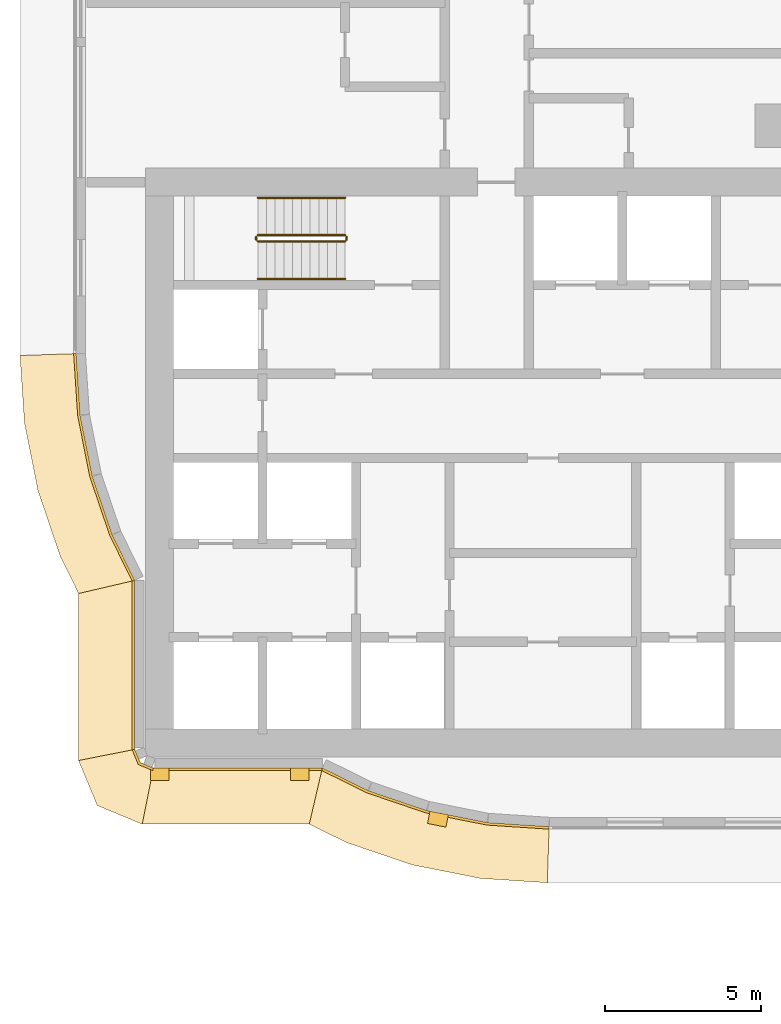
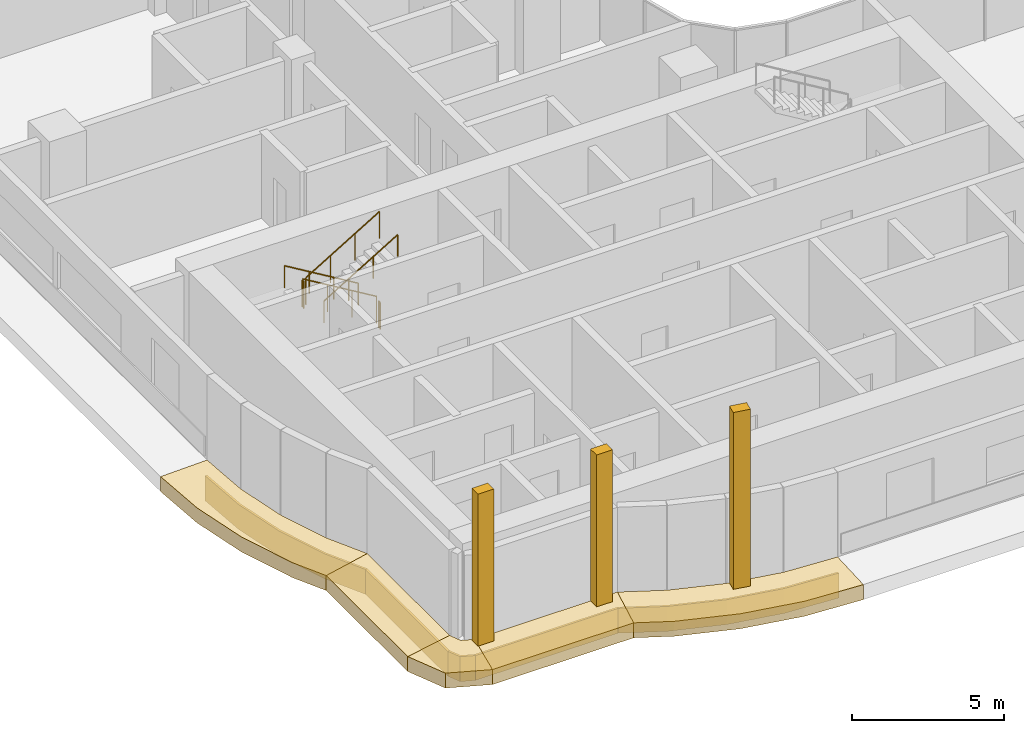
# One storey, part 28 of 36: 13 coverings, 6 railings.
"""IFC4 building model written with IfcOpenShell, lengths in metres."""

import ifcopenshell
import ifcopenshell.guid

model = None  # the IFC model being written
_history = None  # IfcOwnerHistory: only IFC2X3 demands one
_inside = {}  # id of a spatial element -> (the spatial element, [elements in it])
_under = {}  # id of a project, library or spatial element -> (it, [spatial elements below it])
_declared = {}  # id of a project -> (the project, [libraries it declares])
_typed = {}  # id of a type object -> (the type object, [elements of that type])
_made_of = {}  # id of a material, layer set ... -> (it, [elements and type objects made of it])


def new_model(schema):
    """Start an empty IFC model of exactly this schema.

    Asked for "IFC4X3", IfcOpenShell would pick the latest addendum, in which some entities
    have other attributes; the version numbers below select the first issue.
    IFC2X3 requires an IfcOwnerHistory on every rooted entity: one is made here for all.
    """
    global model, _history
    if schema == "IFC4X3":
        model = ifcopenshell.file(schema_version=(4, 3, 0, 0))
    else:
        model = ifcopenshell.file(schema=schema)
    _inside.clear()
    _under.clear()
    _declared.clear()
    _typed.clear()
    _made_of.clear()
    _history = None
    if model.schema == "IFC2X3":
        org = make("IfcOrganization", Name="unknown")
        user = make(
            "IfcPersonAndOrganization",
            ThePerson=make("IfcPerson", FamilyName="unknown"),
            TheOrganization=org,
        )
        app = make(
            "IfcApplication",
            ApplicationDeveloper=org,
            Version="unknown",
            ApplicationFullName="unknown",
            ApplicationIdentifier="unknown",
        )
        _history = make(
            "IfcOwnerHistory",
            OwningUser=user,
            OwningApplication=app,
            ChangeAction="ADDED",
            CreationDate=0,
        )
    return model


def make(cls, **values):
    """One entity of the class cls with the attributes given. An attribute that is None is left unset."""
    return model.create_entity(
        cls, **{name: value for name, value in values.items() if value is not None}
    )


def rooted(cls, **values):
    """An entity with a GlobalId (a new one), such as an element, a storey or a relation."""
    return make(cls, GlobalId=ifcopenshell.guid.new(), OwnerHistory=_history, **values)


def si_unit(unit_type, name, prefix=None):
    """IfcSIUnit, for example si_unit("LENGTHUNIT", "METRE", prefix="MILLI")."""
    return make("IfcSIUnit", UnitType=unit_type, Prefix=prefix, Name=name)


def assignment(units):
    """IfcUnitAssignment: the units of a project."""
    return None if units is None else make("IfcUnitAssignment", Units=units)


def point(xyz):
    """IfcCartesianPoint."""
    return None if xyz is None else make("IfcCartesianPoint", Coordinates=xyz)


def direction(xyz):
    """IfcDirection."""
    return None if xyz is None else make("IfcDirection", DirectionRatios=xyz)


def frame(location, z_axis=None, x_axis=None):
    """IfcAxis2Placement3D, a coordinate frame: its origin and axes. An axis left out is left unset."""
    return make(
        "IfcAxis2Placement3D",
        Location=point(location),
        Axis=direction(z_axis),
        RefDirection=direction(x_axis),
    )


def frame_2d(location, x_axis=None):
    """IfcAxis2Placement2D, a coordinate frame in the plane: its origin and x axis."""
    return make(
        "IfcAxis2Placement2D", Location=point(location), RefDirection=direction(x_axis)
    )


def origin():
    """The frame at (0, 0, 0) with its axes left unset."""
    return frame((0.0, 0.0, 0.0))


def origin_2d():
    """The frame at (0, 0) in the plane with its x axis left unset."""
    return frame_2d((0.0, 0.0))


def place(relative_to, where):
    """IfcLocalPlacement: puts the frame where relative to a parent placement (None: the world)."""
    return make(
        "IfcLocalPlacement", PlacementRelTo=relative_to, RelativePlacement=where
    )


def context(
    kind, dimensions, precision=None, world=None, true_north=None, identifier=None
):
    """IfcGeometricRepresentationContext, for example the 3D "Model" context."""
    return make(
        "IfcGeometricRepresentationContext",
        ContextIdentifier=identifier,
        ContextType=kind,
        CoordinateSpaceDimension=dimensions,
        Precision=precision,
        WorldCoordinateSystem=world,
        TrueNorth=true_north,
    )


def subcontext(parent, identifier, kind, view, scale=None):
    """IfcGeometricRepresentationSubContext, for example "Body" below "Model"."""
    return make(
        "IfcGeometricRepresentationSubContext",
        ContextIdentifier=identifier,
        ContextType=kind,
        ParentContext=parent,
        TargetScale=scale,
        TargetView=view,
    )


def project(units=None, contexts=None):
    """IfcProject with its units and contexts."""
    return rooted(
        "IfcProject",
        Name="project",
        RepresentationContexts=contexts,
        UnitsInContext=assignment(units),
    )


def spatial(cls, under=None, at=None, **own):
    """A site, building, storey or space (cls), placed at a placement, below another one or the project."""
    s = rooted(cls, ObjectPlacement=at, **own)
    if under is not None:
        _under.setdefault(under.id(), (under, []))[1].append(s)
    return s


def polyline(points):
    """IfcPolyline through the points."""
    return make("IfcPolyline", Points=[point(p) for p in points])


def profile(cls, at=None, kind="AREA", **sizes):
    """A parametric profile (cls). Its sizes go by their IFC names, for example OverallWidth=200.0."""
    return make(cls, ProfileType=kind, Position=at, **sizes)


def rectangle(**sizes):
    """IfcRectangleProfileDef."""
    return profile("IfcRectangleProfileDef", **sizes)


def circle(**sizes):
    """IfcCircleProfileDef."""
    return profile("IfcCircleProfileDef", **sizes)


def outline(outer, holes=None, kind="AREA"):
    """IfcArbitraryClosedProfileDef: a profile drawn as a closed curve; with holes, ...WithVoids."""
    if holes is None:
        return make("IfcArbitraryClosedProfileDef", ProfileType=kind, OuterCurve=outer)
    return make(
        "IfcArbitraryProfileDefWithVoids",
        ProfileType=kind,
        OuterCurve=outer,
        InnerCurves=holes,
    )


def extrude(swept, where, along, depth):
    """IfcExtrudedAreaSolid: the profile swept, set in the frame where, extruded along a direction by depth."""
    return make(
        "IfcExtrudedAreaSolid",
        SweptArea=swept,
        Position=where,
        ExtrudedDirection=direction(along),
        Depth=depth,
    )


def shape(context_of_items, identifier, shape_type, items):
    """IfcShapeRepresentation: the items that make up one representation, for example the "Body"."""
    return make(
        "IfcShapeRepresentation",
        ContextOfItems=context_of_items,
        RepresentationIdentifier=identifier,
        RepresentationType=shape_type,
        Items=items,
    )


def material(Name=None, Category=None):
    """IfcMaterial."""
    return make("IfcMaterial", Name=Name, Category=Category)


def layer(
    of_material, thickness, ventilated=None, Name=None, Category=None, Priority=None
):
    """IfcMaterialLayer: one layer of a wall or slab, of a material (None: an air gap)."""
    return make(
        "IfcMaterialLayer",
        Material=of_material,
        LayerThickness=thickness,
        IsVentilated=ventilated,
        Name=Name,
        Category=Category,
        Priority=Priority,
    )


def layer_set(layers, Name=None):
    """IfcMaterialLayerSet."""
    return make("IfcMaterialLayerSet", MaterialLayers=layers, LayerSetName=Name)


def made_of(thing, what):
    """Note that an element or type object is made of a material, layer set ...; save() writes the relation."""
    if what is not None:
        _made_of.setdefault(what.id(), (what, []))[1].append(thing)
    return thing


def type_object(cls, material=None, **own):
    """A type object (cls), such as IfcWallType, which elements share."""
    return made_of(rooted(cls, **own), material)


def element(
    cls,
    number,
    at=None,
    inside=None,
    cuts=None,
    type_object=None,
    material=None,
    context=None,
    identifier="Body",
    shape_type=None,
    held_by="IfcProductDefinitionShape",
    body=None,
    shapes=None,
    **own,
):
    """One element of the class cls, such as IfcWall. Its Tag is "e" and its number.

    at: its placement. inside: the storey or other place that contains it. cuts: it is an
    opening in that element (IfcRelVoidsElement). A single representation is given by context,
    identifier, shape_type and body (its items); several are given by shapes. held_by: the class
    of the entity that holds the representations. save() writes the other relations.
    """
    e = rooted(cls, Tag="e%d" % number, ObjectPlacement=at, **own)
    if body is not None:
        shapes = [shape(context, identifier, shape_type, body)]
    if shapes is not None:
        e.Representation = make(held_by, Representations=shapes)
    if inside is not None:
        _inside.setdefault(inside.id(), (inside, []))[1].append(e)
    if cuts is not None:
        rooted(
            "IfcRelVoidsElement", RelatingBuildingElement=cuts, RelatedOpeningElement=e
        )
    if type_object is not None:
        _typed.setdefault(type_object.id(), (type_object, []))[1].append(e)
    return made_of(e, material)


def aggregate(whole, parts):
    """IfcRelAggregates: a whole, such as a stair, and the parts it consists of."""
    return rooted("IfcRelAggregates", RelatingObject=whole, RelatedObjects=parts)


def save(model, path):
    """Write the relations noted so far, then the file.

    IfcRelAggregates (storeys below a building ...), IfcRelContainedInSpatialStructure (elements
    in a storey), IfcRelDefinesByType, IfcRelAssociatesMaterial and IfcRelDeclares: one each for
    every whole, place, type object, material and project.
    """
    for whole, parts in _under.values():
        aggregate(whole, parts)
    for where, things in _inside.values():
        rooted(
            "IfcRelContainedInSpatialStructure",
            RelatedElements=things,
            RelatingStructure=where,
        )
    for kind, things in _typed.values():
        rooted("IfcRelDefinesByType", RelatedObjects=things, RelatingType=kind)
    for what, things in _made_of.values():
        rooted("IfcRelAssociatesMaterial", RelatedObjects=things, RelatingMaterial=what)
    for by, libraries in _declared.values():
        rooted("IfcRelDeclares", RelatingContext=by, RelatedDefinitions=libraries)
    model.write(path)


model = new_model("IFC4")

# Units and contexts
model_context = context("Model", 3, precision=1e-05, world=origin(), true_north=direction((0.0, 1.0)))
body_context = subcontext(model_context, "Body", "Model", "MODEL_VIEW")
ifc_project = project(units=[si_unit("LENGTHUNIT", "METRE"), si_unit("AREAUNIT", "SQUARE_METRE"), si_unit("VOLUMEUNIT", "CUBIC_METRE"), si_unit("PLANEANGLEUNIT", "RADIAN"), si_unit("MASSUNIT", "GRAM", prefix="KILO")], contexts=[model_context])

# Site, building, storey
site_placement = place(None, origin())
site = spatial("IfcSite", under=ifc_project, at=site_placement, CompositionType="ELEMENT")
building_placement = place(site_placement, origin())
building = spatial("IfcBuilding", under=site, at=building_placement, Name="Ogive Portal Towers", CompositionType="ELEMENT")
storey_placement = place(building_placement, frame((0.0, 0.0, 63.10009765625)))
storey = spatial("IfcBuildingStorey", under=building, at=storey_placement, Name="L14", CompositionType="ELEMENT", Elevation=63.10009765625)

# Railings
ifc_material_1 = material(Name="Stainless steel balustrade", Category="steel")
railing_type_1 = type_object("IfcRailingType", Name="INT-GUARD", PredefinedType="GUARDRAIL", material=ifc_material_1)
railing_1_placement = place(storey_placement, frame((37.449951171875, 37.800048828125, 0.16796875)))
element("IfcRailing", 1, at=railing_1_placement, inside=storey, type_object=railing_type_1, Name="L14 ST-A1 stair guard 1", PredefinedType="GUARDRAIL", context=body_context, shape_type="SweptSolid", body=[
    extrude(circle(Radius=0.02392578125, at=origin_2d()), frame((0.0, 0.0, 1.076171875), z_axis=(-0.857242210791, 0.0, 0.514913383045), x_axis=(0.0, -1.0, 0.0)), (0.0, 0.0, 1.0), 3.266357421875),
    extrude(circle(Radius=0.02099609375, at=origin_2d()), origin(), (0.0, 0.0, 1.0), 1.052001953125),
    extrude(circle(Radius=0.02099609375, at=origin_2d()), frame((-0.933349609375, 0.0, 0.560546875)), (0.0, 0.0, 1.0), 1.052001953125),
    extrude(circle(Radius=0.02099609375, at=origin_2d()), frame((-1.86669921875, 0.0, 1.121337890625)), (0.0, 0.0, 1.0), 1.052001953125),
    extrude(circle(Radius=0.02099609375, at=origin_2d()), frame((-2.800048828125, 0.0, 1.681884765625)), (0.0, 0.0, 1.0), 1.052001953125),
])
railing_2_placement = place(storey_placement, frame((34.60009765625, 37.75, 1.849853515625)))
element("IfcRailing", 2, at=railing_2_placement, inside=storey, type_object=railing_type_1, Name="L14 ST-A1 stair guard 2", PredefinedType="GUARDRAIL", context=body_context, shape_type="SweptSolid", body=[
    extrude(circle(Radius=0.02392578125, at=origin_2d()), frame((0.0, 0.0, 1.076171875), z_axis=(0.0, -1.0, 0.0), x_axis=(1.0, 0.0, 0.0)), (0.0, 0.0, 1.0), 0.10009765625),
    extrude(circle(Radius=0.02099609375, at=origin_2d()), origin(), (0.0, 0.0, 1.0), 1.052001953125),
    extrude(circle(Radius=0.02099609375, at=origin_2d()), frame((0.0, -0.10009765625, 0.0)), (0.0, 0.0, 1.0), 1.052001953125),
])
railing_3_placement = place(storey_placement, frame((34.64990234375, 37.60009765625, 2.01806640625)))
element("IfcRailing", 3, at=railing_3_placement, inside=storey, type_object=railing_type_1, Name="L14 ST-A1 stair guard 3", PredefinedType="GUARDRAIL", context=body_context, shape_type="SweptSolid", body=[
    extrude(circle(Radius=0.02392578125, at=origin_2d()), frame((0.0, 0.0, 1.076171875), z_axis=(0.857242210791, 0.0, 0.514913383045), x_axis=(0.0, 1.0, 0.0)), (0.0, 0.0, 1.0), 3.266357421875),
    extrude(circle(Radius=0.02099609375, at=origin_2d()), origin(), (0.0, 0.0, 1.0), 1.052001953125),
    extrude(circle(Radius=0.02099609375, at=origin_2d()), frame((0.933349609375, 0.0, 0.560546875)), (0.0, 0.0, 1.0), 1.052001953125),
    extrude(circle(Radius=0.02099609375, at=origin_2d()), frame((1.86669921875, 0.0, 1.121337890625)), (0.0, 0.0, 1.0), 1.052001953125),
    extrude(circle(Radius=0.02099609375, at=origin_2d()), frame((2.800048828125, 0.0, 1.681884765625)), (0.0, 0.0, 1.0), 1.052001953125),
])
railing_4_placement = place(storey_placement, frame((37.5, 37.75, 0.0)))
element("IfcRailing", 4, at=railing_4_placement, inside=storey, type_object=railing_type_1, Name="L14 ST-A1 stair guard 4", PredefinedType="GUARDRAIL", context=body_context, shape_type="SweptSolid", body=[
    extrude(circle(Radius=0.02392578125, at=origin_2d()), frame((0.0, 0.0, 1.076171875), z_axis=(0.0, -1.0, 0.0), x_axis=(1.0, 0.0, 0.0)), (0.0, 0.0, 1.0), 0.10009765625),
    extrude(circle(Radius=0.02099609375, at=origin_2d()), origin(), (0.0, 0.0, 1.0), 1.052001953125),
    extrude(circle(Radius=0.02099609375, at=origin_2d()), frame((0.0, -0.10009765625, 0.0)), (0.0, 0.0, 1.0), 1.052001953125),
])
ifc_material_2 = material(Name="Stainless steel handrail", Category="steel")
railing_type_2 = type_object("IfcRailingType", Name="INT-HANDRAIL", PredefinedType="HANDRAIL", material=ifc_material_2)
railing_5_placement = place(storey_placement, frame((37.449951171875, 39.0, 0.16796875)))
element("IfcRailing", 5, at=railing_5_placement, inside=storey, type_object=railing_type_2, Name="L14 ST-A1 stair handrail 1", PredefinedType="HANDRAIL", context=body_context, shape_type="SweptSolid", body=[
    extrude(circle(Radius=0.02392578125, at=origin_2d()), frame((0.0, 0.0, 0.8759765625), z_axis=(-0.857242210791, 0.0, 0.514913383045), x_axis=(0.0, -1.0, 0.0)), (0.0, 0.0, 1.0), 3.266357421875),
    extrude(circle(Radius=0.02099609375, at=origin_2d()), origin(), (0.0, 0.0, 1.0), 0.851806640625),
    extrude(circle(Radius=0.02099609375, at=origin_2d()), frame((-0.933349609375, 0.0, 0.560546875)), (0.0, 0.0, 1.0), 0.851806640625),
    extrude(circle(Radius=0.02099609375, at=origin_2d()), frame((-1.86669921875, 0.0, 1.121337890625)), (0.0, 0.0, 1.0), 0.851806640625),
    extrude(circle(Radius=0.02099609375, at=origin_2d()), frame((-2.800048828125, 0.0, 1.681884765625)), (0.0, 0.0, 1.0), 0.851806640625),
])
railing_6_placement = place(storey_placement, frame((34.64990234375, 36.39990234375, 2.01806640625)))
element("IfcRailing", 6, at=railing_6_placement, inside=storey, type_object=railing_type_2, Name="L14 ST-A1 stair handrail 2", PredefinedType="HANDRAIL", context=body_context, shape_type="SweptSolid", body=[
    extrude(circle(Radius=0.02392578125, at=origin_2d()), frame((0.0, 0.0, 0.8759765625), z_axis=(0.857242210791, 0.0, 0.514913383045), x_axis=(0.0, 1.0, 0.0)), (0.0, 0.0, 1.0), 3.266357421875),
    extrude(circle(Radius=0.02099609375, at=origin_2d()), origin(), (0.0, 0.0, 1.0), 0.851806640625),
    extrude(circle(Radius=0.02099609375, at=origin_2d()), frame((0.933349609375, 0.0, 0.560546875)), (0.0, 0.0, 1.0), 0.851806640625),
    extrude(circle(Radius=0.02099609375, at=origin_2d()), frame((1.86669921875, 0.0, 1.121337890625)), (0.0, 0.0, 1.0), 0.851806640625),
    extrude(circle(Radius=0.02099609375, at=origin_2d()), frame((2.800048828125, 0.0, 1.681884765625)), (0.0, 0.0, 1.0), 0.851806640625),
])

# Coverings
ifc_material_3 = material(Name="Limestone cladding on lightweight block wall", Category="masonry")
ifc_layer_1 = layer(ifc_material_3, 0.39990234375)
ifc_layer_set_1 = layer_set([ifc_layer_1], Name="SPINE PIER STONE")
covering_type_1 = type_object("IfcCoveringType", Name="SPINE PIER STONE", PredefinedType="CLADDING", material=ifc_layer_set_1)
for number, where, z_axis, x_axis, name in (
    (7, (31.5, 20.5, -0.000244140625), (0.0, 0.0, 1.0), (1.0, 0.0, 0.0), "SPINE PIER"),
    (8, (36.0, 20.5, -0.000244140625), (0.0, 0.0, 1.0), (1.0, 0.0, 0.0), "SPINE PIER"),
):
    element("IfcCovering", number, at=place(storey_placement, frame(where, z_axis=z_axis, x_axis=x_axis)), inside=storey, type_object=covering_type_1, Name=name, PredefinedType="CLADDING", context=body_context, shape_type="SweptSolid", body=[
        extrude(rectangle(XDim=0.60009765625, YDim=0.39990234375, at=origin_2d()), origin(), (0.0, 0.0, 1.0), 6.10009765625),
    ])
covering_1_placement = place(storey_placement, frame((40.431640625, 19.0615234375, -0.000244140625), z_axis=(0.0, 0.0, 1.0), x_axis=(0.980785280403, -0.195090322016, 0.0)))
element("IfcCovering", 9, at=covering_1_placement, inside=storey, type_object=covering_type_1, Name="SPINE PIER", PredefinedType="CLADDING", context=body_context, shape_type="SweptSolid", body=[
    extrude(rectangle(XDim=0.60009765625, YDim=0.39990234375, at=origin_2d()), origin(), (0.0, 0.0, 1.0), 7.10009765625),
])
ifc_layer_2 = layer(ifc_material_3, 0.080078125)
ifc_layer_set_2 = layer_set([ifc_layer_2], Name="STONE SPANDREL 80")
covering_type_2 = type_object("IfcCoveringType", Name="STONE SPANDREL 80", PredefinedType="CLADDING", material=ifc_layer_set_2)
covering_2_placement = place(storey_placement, frame((0.0, 0.0, -1.60009765625)))
element("IfcCovering", 10, at=covering_2_placement, inside=storey, type_object=covering_type_2, Name="Stone spandrel A1-F01", PredefinedType="CLADDING", context=body_context, shape_type="SweptSolid", body=[
    extrude(outline(polyline([(30.699951171875, 26.7216796875), (30.699951171875, 21.300048828125), (30.6201171875, 21.2841796875), (30.6201171875, 26.703125), (30.699951171875, 26.7216796875)])), origin(), (0.0, 0.0, 1.0), 1.0),
])
covering_3_placement = place(storey_placement, frame((0.0, 0.0, -1.60009765625)))
element("IfcCovering", 11, at=covering_3_placement, inside=storey, type_object=covering_type_2, Name="Stone spandrel A1-F02", PredefinedType="CLADDING", context=body_context, shape_type="SweptSolid", body=[
    extrude(outline(polyline([(30.699951171875, 21.300048828125), (30.875732421875, 20.875732421875), (31.300048828125, 20.699951171875), (31.2841796875, 20.6201171875), (30.814453125, 20.814453125), (30.6201171875, 21.2841796875), (30.699951171875, 21.300048828125)])), origin(), (0.0, 0.0, 1.0), 1.0),
])
covering_4_placement = place(storey_placement, frame((0.0, 0.0, -1.60009765625)))
element("IfcCovering", 12, at=covering_4_placement, inside=storey, type_object=covering_type_2, Name="Stone spandrel A1-F03", PredefinedType="CLADDING", context=body_context, shape_type="SweptSolid", body=[
    extrude(outline(polyline([(31.300048828125, 20.699951171875), (36.7216796875, 20.699951171875), (36.703125, 20.6201171875), (31.2841796875, 20.6201171875), (31.300048828125, 20.699951171875)])), origin(), (0.0, 0.0, 1.0), 1.0),
])
covering_5_placement = place(storey_placement, frame((0.0, 0.0, -1.60009765625)))
element("IfcCovering", 13, at=covering_5_placement, inside=storey, type_object=covering_type_2, Name="Stone spandrel A1-F04", PredefinedType="CLADDING", context=body_context, shape_type="SweptSolid", body=[
    extrude(outline(polyline([(36.7216796875, 20.699951171875), (38.19091796875, 19.9755859375), (40.071044921875, 19.337158203125), (42.0185546875, 18.949951171875), (44.0, 18.820068359375), (43.997314453125, 18.739990234375), (42.008056640625, 18.870361328125), (40.05029296875, 19.259765625), (38.16015625, 19.9013671875), (36.703125, 20.6201171875), (36.7216796875, 20.699951171875)])), origin(), (0.0, 0.0, 1.0), 1.0),
])
covering_6_placement = place(storey_placement, frame((0.0, 0.0, -1.60009765625)))
element("IfcCovering", 14, at=covering_6_placement, inside=storey, type_object=covering_type_2, Name="Stone spandrel A1-F14", PredefinedType="CLADDING", context=body_context, shape_type="SweptSolid", body=[
    extrude(outline(polyline([(28.820068359375, 34.0), (28.949951171875, 32.0185546875), (29.337158203125, 30.071044921875), (29.9755859375, 28.19091796875), (30.699951171875, 26.7216796875), (30.6201171875, 26.703125), (29.9013671875, 28.16015625), (29.259765625, 30.05029296875), (28.870361328125, 32.008056640625), (28.739990234375, 33.997314453125), (28.820068359375, 34.0)])), origin(), (0.0, 0.0, 1.0), 1.0),
])
ifc_layer_3 = layer(ifc_material_3, 0.60009765625)
ifc_layer_set_3 = layer_set([ifc_layer_3], Name="SUNSHADE LIP 600")
covering_type_3 = type_object("IfcCoveringType", Name="SUNSHADE LIP 600", PredefinedType="CLADDING", material=ifc_layer_set_3)
covering_7_placement = place(storey_placement, frame((0.0, 0.0, -0.60009765625)))
element("IfcCovering", 15, at=covering_7_placement, inside=storey, type_object=covering_type_3, Name="Sunshade lip A1-F01", PredefinedType="CLADDING", context=body_context, shape_type="SweptSolid", body=[
    extrude(outline(polyline([(30.699951171875, 26.7216796875), (30.699951171875, 21.300048828125), (28.89990234375, 20.94189453125), (28.89990234375, 26.302001953125), (30.699951171875, 26.7216796875)])), origin(), (0.0, 0.0, 1.0), 0.60009765625),
])
covering_8_placement = place(storey_placement, frame((0.0, 0.0, -0.60009765625)))
element("IfcCovering", 16, at=covering_8_placement, inside=storey, type_object=covering_type_3, Name="Sunshade lip A1-F02", PredefinedType="CLADDING", context=body_context, shape_type="SweptSolid", body=[
    extrude(outline(polyline([(30.699951171875, 21.300048828125), (30.875732421875, 20.875732421875), (31.300048828125, 20.699951171875), (30.94189453125, 18.89990234375), (29.498046875, 19.498046875), (28.89990234375, 20.94189453125), (30.699951171875, 21.300048828125)])), origin(), (0.0, 0.0, 1.0), 0.60009765625),
])
covering_9_placement = place(storey_placement, frame((0.0, 0.0, -0.60009765625)))
element("IfcCovering", 17, at=covering_9_placement, inside=storey, type_object=covering_type_3, Name="Sunshade lip A1-F03", PredefinedType="CLADDING", context=body_context, shape_type="SweptSolid", body=[
    extrude(outline(polyline([(31.300048828125, 20.699951171875), (36.7216796875, 20.699951171875), (36.302001953125, 18.89990234375), (30.94189453125, 18.89990234375), (31.300048828125, 20.699951171875)])), origin(), (0.0, 0.0, 1.0), 0.60009765625),
])
covering_10_placement = place(storey_placement, frame((0.0, 0.0, -0.60009765625)))
element("IfcCovering", 18, at=covering_10_placement, inside=storey, type_object=covering_type_3, Name="Sunshade lip A1-F04", PredefinedType="CLADDING", context=body_context, shape_type="SweptSolid", body=[
    extrude(outline(polyline([(36.7216796875, 20.699951171875), (38.19091796875, 19.9755859375), (40.071044921875, 19.337158203125), (42.0185546875, 18.949951171875), (44.0, 18.820068359375), (43.941162109375, 17.02001953125), (41.783203125, 17.161376953125), (39.604248046875, 17.594970703125), (37.50048828125, 18.308837890625), (36.302001953125, 18.89990234375), (36.7216796875, 20.699951171875)])), origin(), (0.0, 0.0, 1.0), 0.60009765625),
])
covering_11_placement = place(storey_placement, frame((0.0, 0.0, -0.60009765625)))
element("IfcCovering", 19, at=covering_11_placement, inside=storey, type_object=covering_type_3, Name="Sunshade lip A1-F14", PredefinedType="CLADDING", context=body_context, shape_type="SweptSolid", body=[
    extrude(outline(polyline([(28.820068359375, 34.0), (28.949951171875, 32.0185546875), (29.337158203125, 30.071044921875), (29.9755859375, 28.19091796875), (30.699951171875, 26.7216796875), (28.89990234375, 26.302001953125), (28.308837890625, 27.50048828125), (27.594970703125, 29.604248046875), (27.161376953125, 31.783203125), (27.02001953125, 33.941162109375), (28.820068359375, 34.0)])), origin(), (0.0, 0.0, 1.0), 0.60009765625),
])

save(model, "model.ifc")
